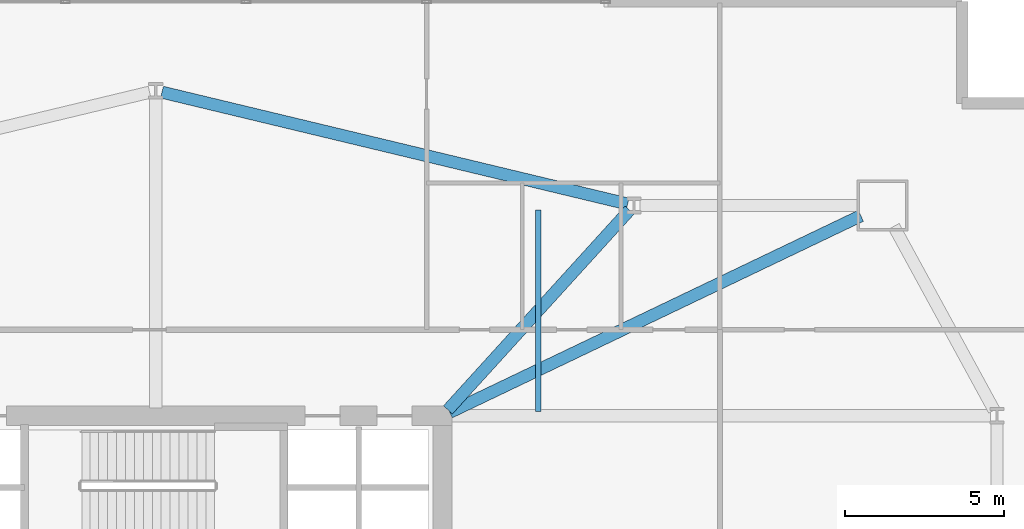
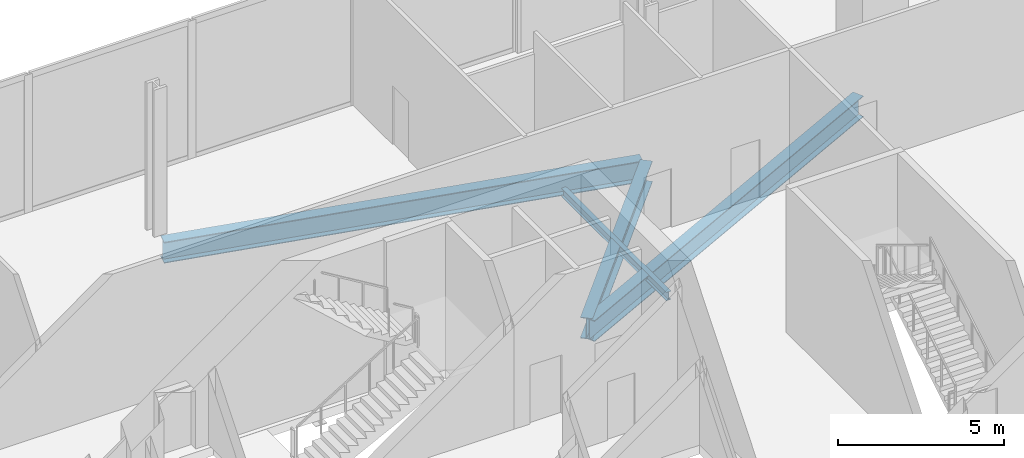
# One storey, part 8 of 20: 4 beams.
"""IFC4 building model written with IfcOpenShell, lengths in metres."""

from ifc_helpers import new_model, si_unit, direction, frame, origin, origin_2d, place, context, subcontext, project, spatial, i_section, extrude, material, material_profile, profile_set, type_object, element, save


model = new_model("IFC4")

# Units and contexts
model_context = context("Model", 3, precision=1e-05, world=origin(), true_north=direction((0.0, 1.0)))
body_context = subcontext(model_context, "Body", "Model", "MODEL_VIEW")
ifc_project = project(units=[si_unit("LENGTHUNIT", "METRE"), si_unit("AREAUNIT", "SQUARE_METRE"), si_unit("VOLUMEUNIT", "CUBIC_METRE"), si_unit("PLANEANGLEUNIT", "RADIAN"), si_unit("MASSUNIT", "GRAM", prefix="KILO")], contexts=[model_context])

# Site, building, storey
site_placement = place(None, origin())
site = spatial("IfcSite", under=ifc_project, at=site_placement, CompositionType="ELEMENT")
building_placement = place(site_placement, origin())
building = spatial("IfcBuilding", under=site, at=building_placement, Name="Haldenkirk Collegiate Tower", CompositionType="ELEMENT")
storey_placement = place(building_placement, frame((0.0, 0.0, 11.39990234375)))
storey = spatial("IfcBuildingStorey", under=building, at=storey_placement, Name="L02", CompositionType="ELEMENT", Elevation=11.39990234375)

# Beams
ifc_material = material(Name="Steel ASTM A992 Grade 50", Category="steel")
ifc_material_profile_1 = material_profile(ifc_material, i_section(OverallWidth=0.381103515625, OverallDepth=0.77294921875, WebThickness=0.0166015625, FlangeThickness=0.027099609375, at=origin_2d()), Name="W30X173")
ifc_profile_set_1 = profile_set([ifc_material_profile_1], Name="Steel ASTM A992 Grade 50")
beam_type_1 = type_object("IfcBeamType", Name="BM-GIRDER-W30X173", PredefinedType="BEAM", material=ifc_profile_set_1)
beam_1_placement = place(storey_placement, frame((50.805419921875, 40.646728515625, -0.71630859375), z_axis=(-0.972387449467, 0.233372337946, 0.0), x_axis=(-0.233372337946, -0.972387449467, 0.0)))
element("IfcBeam", 1, at=beam_1_placement, inside=storey, type_object=beam_type_1, Name="L02 podium ring girder 09", PredefinedType="BEAM", context=body_context, shape_type="SweptSolid", body=[
    extrude(i_section(OverallWidth=0.381103515625, OverallDepth=0.77294921875, WebThickness=0.0166015625, FlangeThickness=0.027099609375, at=origin_2d()), origin(), (0.0, 0.0, 1.0), 15.025634765625),
])
beam_2_placement = place(storey_placement, frame((50.865478515625, 40.451904296875, -0.71630859375), z_axis=(-0.672681402593, -0.739932247307, 0.0), x_axis=(0.739932247307, -0.672681402593, 0.0)))
element("IfcBeam", 2, at=beam_2_placement, inside=storey, type_object=beam_type_1, Name="L02 podium radial girder 10", PredefinedType="BEAM", context=body_context, shape_type="SweptSolid", body=[
    extrude(i_section(OverallWidth=0.381103515625, OverallDepth=0.77294921875, WebThickness=0.0166015625, FlangeThickness=0.027099609375, at=origin_2d()), origin(), (0.0, 0.0, 1.0), 8.469482421875),
])
beam_3_placement = place(storey_placement, frame((58.123291015625, 40.2763671875, -0.71630859375), z_axis=(-0.902134510622, -0.431454893058, 0.0), x_axis=(0.431454893058, -0.902134510622, 0.0)))
element("IfcBeam", 3, at=beam_3_placement, inside=storey, type_object=beam_type_1, Name="L02 podium radial girder 13", PredefinedType="BEAM", context=body_context, shape_type="SweptSolid", body=[
    extrude(i_section(OverallWidth=0.381103515625, OverallDepth=0.77294921875, WebThickness=0.0166015625, FlangeThickness=0.027099609375, at=origin_2d()), origin(), (0.0, 0.0, 1.0), 14.296875),
])
ifc_material_profile_2 = material_profile(ifc_material, i_section(OverallWidth=0.1650390625, OverallDepth=0.31005859375, WebThickness=0.005859375, FlangeThickness=0.009765625, at=origin_2d()), Name="W12X26")
ifc_profile_set_2 = profile_set([ifc_material_profile_2], Name="Steel ASTM A992 Grade 50")
beam_type_2 = type_object("IfcBeamType", Name="BM-JOIST-W12X26", PredefinedType="JOIST", material=ifc_profile_set_2)
beam_4_placement = place(storey_placement, frame((48.0, 34.139892578125, -0.48486328125), z_axis=(0.0, 1.0, 0.0), x_axis=(-1.0, 0.0, 0.0)))
element("IfcBeam", 4, at=beam_4_placement, inside=storey, type_object=beam_type_2, Name="L02 north bay floor joist 2", PredefinedType="JOIST", context=body_context, shape_type="SweptSolid", body=[
    extrude(i_section(OverallWidth=0.1650390625, OverallDepth=0.31005859375, WebThickness=0.005859375, FlangeThickness=0.009765625, at=origin_2d()), origin(), (0.0, 0.0, 1.0), 6.320068359375),
])

save(model, "model.ifc")
